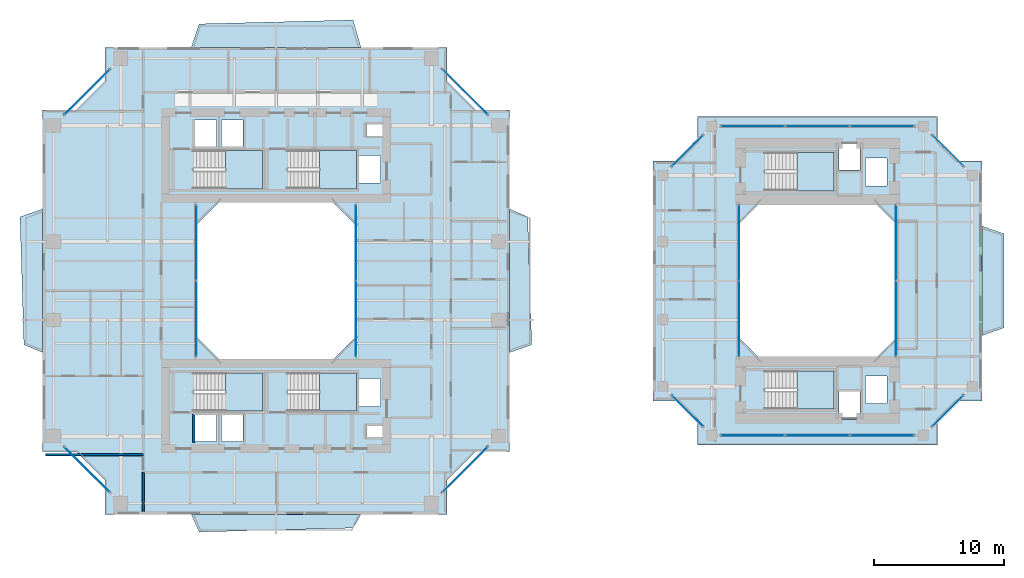
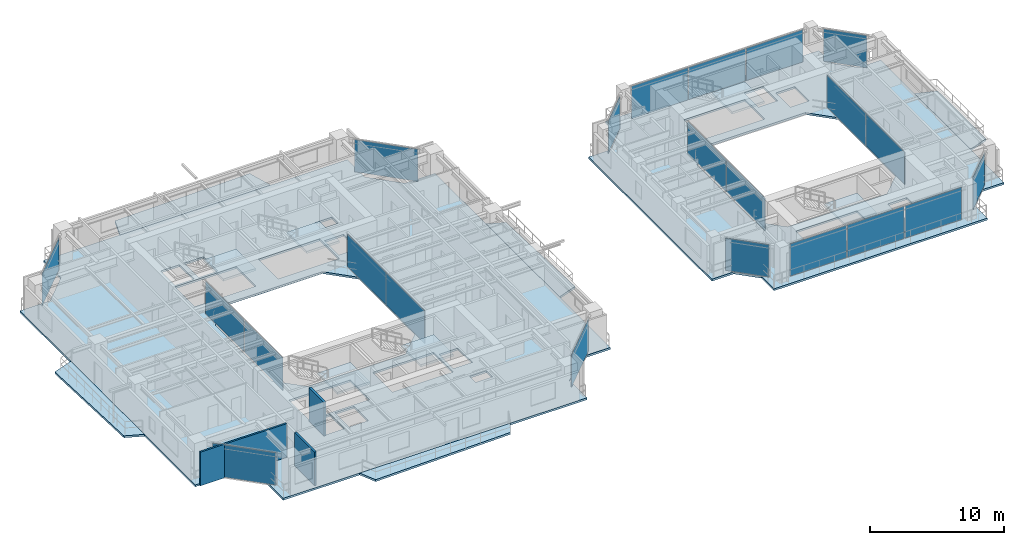
# One storey, part 12 of 23: 22 plates, 13 slabs, 3 walls, 20 elements without a shape of their own.
"""IFC4 building model written with IfcOpenShell, lengths in metres."""

from ifc_helpers import new_model, si_unit, direction, frame, frame_2d, origin, origin_2d, place, context, subcontext, project, spatial, polyline, rectangle, outline, extrude, source, transform, mapped, material, layer, layer_set, type_object, element, aggregate, save


model = new_model("IFC4")

# Units and contexts
model_context = context("Model", 3, precision=1e-05, world=origin(), true_north=direction((0.0, 1.0)))
body_context = subcontext(model_context, "Body", "Model", "MODEL_VIEW")
ifc_project = project(units=[si_unit("LENGTHUNIT", "METRE"), si_unit("AREAUNIT", "SQUARE_METRE"), si_unit("VOLUMEUNIT", "CUBIC_METRE"), si_unit("PLANEANGLEUNIT", "RADIAN"), si_unit("MASSUNIT", "GRAM", prefix="KILO"), si_unit("THERMODYNAMICTEMPERATUREUNIT", "KELVIN"), si_unit("POWERUNIT", "WATT")], contexts=[model_context])

# Site, building, storey
site_placement = place(None, origin())
site = spatial("IfcSite", under=ifc_project, at=site_placement, CompositionType="ELEMENT")
building_placement = place(site_placement, origin())
building = spatial("IfcBuilding", under=site, at=building_placement, Name="Qiaomeng Ring Towers", CompositionType="ELEMENT")
storey_placement = place(building_placement, frame((0.0, 0.0, 100.25)))
storey = spatial("IfcBuildingStorey", under=building, at=storey_placement, Name="L28", CompositionType="ELEMENT", Elevation=100.25)

# Slabs
ifc_material_1 = material(Name="Concrete C40", Category="concrete")
ifc_layer_1 = layer(ifc_material_1, 0.179931640625, Name="Concrete C40")
ifc_layer_set_1 = layer_set([ifc_layer_1], Name="Concrete C40")
slab_type_1 = type_object("IfcSlabType", Name="STR-SL-180", PredefinedType="FLOOR", material=ifc_layer_set_1)
slab_1_placement = place(storey_placement, frame((0.0, 0.0, -0.179931640625)))
element("IfcSlab", 1, at=slab_1_placement, inside=storey, type_object=slab_type_1, Name="L28 Tower 1 Annular Floor Slab", PredefinedType="FLOOR", context=body_context, shape_type="SweptSolid", body=[
    extrude(outline(polyline([(5.89990234375, 5.10009765625), (32.10009765625, 5.10009765625), (32.10009765625, 7.699951171875), (34.300048828125, 9.89990234375), (36.89990234375, 9.89990234375), (36.89990234375, 36.10009765625), (34.300048828125, 36.10009765625), (32.10009765625, 38.300048828125), (32.10009765625, 40.89990234375), (5.89990234375, 40.89990234375), (5.89990234375, 38.300048828125), (3.699951171875, 36.10009765625), (1.10009765625, 36.10009765625), (1.10009765625, 9.89990234375), (3.699951171875, 9.89990234375), (5.89990234375, 7.699951171875), (5.89990234375, 5.10009765625)]), holes=[polyline([(12.780029296875, 10.679931640625), (12.780029296875, 12.820068359375), (14.419921875, 12.820068359375), (14.419921875, 10.679931640625), (12.780029296875, 10.679931640625)]), polyline([(14.830078125, 12.820068359375), (16.469970703125, 12.820068359375), (16.469970703125, 10.679931640625), (14.830078125, 10.679931640625), (14.830078125, 12.820068359375)]), polyline([(12.679931640625, 15.949951171875), (17.949951171875, 15.949951171875), (17.949951171875, 13.010009765625), (12.679931640625, 13.010009765625), (12.679931640625, 15.949951171875)]), polyline([(23.199951171875, 29.199951171875), (25.199951171875, 27.199951171875), (25.199951171875, 18.800048828125), (23.199951171875, 16.800048828125), (14.800048828125, 16.800048828125), (12.800048828125, 18.800048828125), (12.800048828125, 27.199951171875), (14.800048828125, 29.199951171875), (23.199951171875, 29.199951171875)]), polyline([(12.679931640625, 32.989990234375), (17.949951171875, 32.989990234375), (17.949951171875, 30.050048828125), (12.679931640625, 30.050048828125), (12.679931640625, 32.989990234375)]), polyline([(12.780029296875, 35.320068359375), (14.419921875, 35.320068359375), (14.419921875, 33.179931640625), (12.780029296875, 33.179931640625), (12.780029296875, 35.320068359375)]), polyline([(14.830078125, 33.179931640625), (14.830078125, 35.320068359375), (16.469970703125, 35.320068359375), (16.469970703125, 33.179931640625), (14.830078125, 33.179931640625)]), polyline([(25.919921875, 11.89990234375), (27.360107421875, 11.89990234375), (27.360107421875, 11.0), (25.919921875, 11.0), (25.919921875, 11.89990234375)]), polyline([(25.360107421875, 15.52001953125), (27.0, 15.52001953125), (27.0, 13.3798828125), (25.360107421875, 13.3798828125), (25.360107421875, 15.52001953125)]), polyline([(19.8798828125, 15.949951171875), (25.14990234375, 15.949951171875), (25.14990234375, 13.010009765625), (19.8798828125, 13.010009765625), (19.8798828125, 15.949951171875)]), polyline([(19.8798828125, 32.989990234375), (25.14990234375, 32.989990234375), (25.14990234375, 30.050048828125), (19.8798828125, 30.050048828125), (19.8798828125, 32.989990234375)]), polyline([(25.360107421875, 32.6201171875), (27.0, 32.6201171875), (27.0, 30.47998046875), (25.360107421875, 30.47998046875), (25.360107421875, 32.6201171875)]), polyline([(25.919921875, 35.0), (27.360107421875, 35.0), (27.360107421875, 34.10009765625), (25.919921875, 34.10009765625), (25.919921875, 35.0)])]), origin(), (0.0, 0.0, 1.0), 0.179931640625),
])
slab_2_placement = place(storey_placement, frame((0.0, 0.0, -0.179931640625)))
element("IfcSlab", 2, at=slab_2_placement, inside=storey, type_object=slab_type_1, Name="L28 Companion Tower 2 Annular Floor Slab", PredefinedType="FLOOR", context=body_context, shape_type="SweptSolid", body=[
    extrude(outline(polyline([(51.300048828125, 10.39990234375), (69.699951171875, 10.39990234375), (69.699951171875, 12.300048828125), (71.199951171875, 13.800048828125), (73.10009765625, 13.800048828125), (73.10009765625, 32.199951171875), (71.199951171875, 32.199951171875), (69.699951171875, 33.699951171875), (69.699951171875, 35.60009765625), (51.300048828125, 35.60009765625), (51.300048828125, 33.699951171875), (49.800048828125, 32.199951171875), (47.89990234375, 32.199951171875), (47.89990234375, 13.800048828125), (49.800048828125, 13.800048828125), (51.300048828125, 12.300048828125), (51.300048828125, 10.39990234375)]), holes=[polyline([(62.1298828125, 12.3798828125), (62.1298828125, 14.52001953125), (63.77001953125, 14.52001953125), (63.77001953125, 12.3798828125), (62.1298828125, 12.3798828125)]), polyline([(56.47998046875, 13.159912109375), (56.47998046875, 16.10009765625), (61.75, 16.10009765625), (61.75, 13.159912109375), (56.47998046875, 13.159912109375)]), polyline([(64.179931640625, 13.580078125), (64.179931640625, 15.719970703125), (65.820068359375, 15.719970703125), (65.820068359375, 13.580078125), (64.179931640625, 13.580078125)]), polyline([(64.800048828125, 29.10009765625), (66.60009765625, 27.300048828125), (66.60009765625, 18.699951171875), (64.800048828125, 16.89990234375), (56.199951171875, 16.89990234375), (54.39990234375, 18.699951171875), (54.39990234375, 27.300048828125), (56.199951171875, 29.10009765625), (64.800048828125, 29.10009765625)]), polyline([(64.179931640625, 30.280029296875), (64.179931640625, 32.419921875), (65.820068359375, 32.419921875), (65.820068359375, 30.280029296875), (64.179931640625, 30.280029296875)]), polyline([(56.47998046875, 32.840087890625), (61.75, 32.840087890625), (61.75, 29.89990234375), (56.47998046875, 29.89990234375), (56.47998046875, 32.840087890625)]), polyline([(62.1298828125, 33.6201171875), (63.77001953125, 33.6201171875), (63.77001953125, 31.47998046875), (62.1298828125, 31.47998046875), (62.1298828125, 33.6201171875)])]), origin(), (0.0, 0.0, 1.0), 0.179931640625),
])
ifc_layer_2 = layer(ifc_material_1, 0.179931640625, Name="Concrete C40")
ifc_layer_set_2 = layer_set([ifc_layer_2], Name="Concrete C40")
slab_type_2 = type_object("IfcSlabType", Name="STR-SL-BAL", PredefinedType="FLOOR", material=ifc_layer_set_2)
slab_3_placement = place(storey_placement, frame((0.0, 0.0, -0.179931640625)))
element("IfcSlab", 3, at=slab_3_placement, inside=storey, type_object=slab_type_2, Name="L28 Tower 1 S Faceted Balcony Slab", PredefinedType="FLOOR", context=body_context, shape_type="SweptSolid", body=[
    extrude(outline(polyline([(24.89990234375, 4.050048828125), (13.10009765625, 3.75), (12.5, 5.10009765625), (25.5, 5.10009765625), (24.89990234375, 4.050048828125)])), origin(), (0.0, 0.0, 1.0), 0.179931640625),
])
slab_4_placement = place(storey_placement, frame((0.0, 0.0, -0.179931640625)))
element("IfcSlab", 4, at=slab_4_placement, inside=storey, type_object=slab_type_2, Name="L28 Tower 1 E Faceted Balcony Slab", PredefinedType="FLOOR", context=body_context, shape_type="SweptSolid", body=[
    extrude(outline(polyline([(38.2900390625, 27.89990234375), (38.590087890625, 18.10009765625), (36.89990234375, 17.5), (36.89990234375, 28.5), (38.2900390625, 27.89990234375)])), origin(), (0.0, 0.0, 1.0), 0.179931640625),
])
slab_5_placement = place(storey_placement, frame((0.0, 0.0, -0.179931640625)))
element("IfcSlab", 5, at=slab_5_placement, inside=storey, type_object=slab_type_2, Name="L28 Tower 1 N Faceted Balcony Slab", PredefinedType="FLOOR", context=body_context, shape_type="SweptSolid", body=[
    extrude(outline(polyline([(12.5, 40.89990234375), (13.10009765625, 42.68994140625), (24.89990234375, 42.989990234375), (25.5, 40.89990234375), (12.5, 40.89990234375)])), origin(), (0.0, 0.0, 1.0), 0.179931640625),
])
slab_6_placement = place(storey_placement, frame((0.0, 0.0, -0.179931640625)))
element("IfcSlab", 6, at=slab_6_placement, inside=storey, type_object=slab_type_2, Name="L28 Tower 1 W Faceted Balcony Slab", PredefinedType="FLOOR", context=body_context, shape_type="SweptSolid", body=[
    extrude(outline(polyline([(-0.330078125, 18.10009765625), (-0.6298828125, 27.89990234375), (1.10009765625, 28.5), (1.10009765625, 17.5), (-0.330078125, 18.10009765625)])), origin(), (0.0, 0.0, 1.0), 0.179931640625),
])
slab_7_placement = place(storey_placement, frame((0.0, 0.0, -0.179931640625)))
element("IfcSlab", 7, at=slab_7_placement, inside=storey, type_object=slab_type_2, Name="L28 Companion East Faceted Balcony Slab", PredefinedType="FLOOR", context=body_context, shape_type="SweptSolid", body=[
    extrude(outline(polyline([(74.7900390625, 26.60009765625), (74.7900390625, 19.39990234375), (73.10009765625, 18.800048828125), (73.10009765625, 27.199951171875), (74.7900390625, 26.60009765625)])), origin(), (0.0, 0.0, 1.0), 0.179931640625),
])

# Stair, slab
ifc_material_2 = material(Name="Precast concrete C40", Category="concrete")
stair_type = type_object("IfcStairType", Name="ARC-ST-325", PredefinedType="HALF_TURN_STAIR", material=ifc_material_2)
stair_1_placement = place(storey_placement, origin())
stair_1 = element("IfcStair", 8, at=stair_1_placement, inside=storey, type_object=stair_type, Name="L28 Tower 1 North Stair 1", PredefinedType="HALF_TURN_STAIR")
ifc_layer_3 = layer(ifc_material_1, 0.199951171875, Name="Concrete C40")
ifc_layer_set_3 = layer_set([ifc_layer_3], Name="Concrete C40")
slab_type_3 = type_object("IfcSlabType", Name="STR-SL-LANDING", PredefinedType="LANDING", material=ifc_layer_set_3)
slab_8_placement = place(storey_placement, frame((0.0, 0.0, 1.425048828125)))
slab_8 = element("IfcSlab", 9, at=slab_8_placement, type_object=slab_type_3, Name="ST1 landing 1", PredefinedType="LANDING", context=body_context, shape_type="SweptSolid", body=[
    extrude(outline(polyline([(15.139892578125, 30.050048828125), (17.949951171875, 30.050048828125), (17.949951171875, 32.989990234375), (15.139892578125, 32.989990234375), (15.139892578125, 30.050048828125)])), origin(), (0.0, 0.0, 1.0), 0.199951171875),
])
aggregate(stair_1, [slab_8])

stair_2_placement = place(storey_placement, origin())
stair_2 = element("IfcStair", 10, at=stair_2_placement, inside=storey, type_object=stair_type, Name="L28 Tower 1 North Stair 2", PredefinedType="HALF_TURN_STAIR")
slab_9_placement = place(storey_placement, frame((0.0, 0.0, 1.425048828125)))
slab_9 = element("IfcSlab", 11, at=slab_9_placement, type_object=slab_type_3, Name="ST2 landing 1", PredefinedType="LANDING", context=body_context, shape_type="SweptSolid", body=[
    extrude(outline(polyline([(22.340087890625, 30.050048828125), (25.14990234375, 30.050048828125), (25.14990234375, 32.989990234375), (22.340087890625, 32.989990234375), (22.340087890625, 30.050048828125)])), origin(), (0.0, 0.0, 1.0), 0.199951171875),
])
aggregate(stair_2, [slab_9])

stair_3_placement = place(storey_placement, origin())
stair_3 = element("IfcStair", 12, at=stair_3_placement, inside=storey, type_object=stair_type, Name="L28 Tower 1 South Stair 3", PredefinedType="HALF_TURN_STAIR")
slab_10_placement = place(storey_placement, frame((0.0, 0.0, 1.425048828125)))
slab_10 = element("IfcSlab", 13, at=slab_10_placement, type_object=slab_type_3, Name="ST3 landing 1", PredefinedType="LANDING", context=body_context, shape_type="SweptSolid", body=[
    extrude(outline(polyline([(15.139892578125, 13.010009765625), (17.949951171875, 13.010009765625), (17.949951171875, 15.949951171875), (15.139892578125, 15.949951171875), (15.139892578125, 13.010009765625)])), origin(), (0.0, 0.0, 1.0), 0.199951171875),
])
aggregate(stair_3, [slab_10])

stair_4_placement = place(storey_placement, origin())
stair_4 = element("IfcStair", 14, at=stair_4_placement, inside=storey, type_object=stair_type, Name="L28 Tower 1 South Stair 4", PredefinedType="HALF_TURN_STAIR")
slab_11_placement = place(storey_placement, frame((0.0, 0.0, 1.425048828125)))
slab_11 = element("IfcSlab", 15, at=slab_11_placement, type_object=slab_type_3, Name="ST4 landing 1", PredefinedType="LANDING", context=body_context, shape_type="SweptSolid", body=[
    extrude(outline(polyline([(22.340087890625, 13.010009765625), (25.14990234375, 13.010009765625), (25.14990234375, 15.949951171875), (22.340087890625, 15.949951171875), (22.340087890625, 13.010009765625)])), origin(), (0.0, 0.0, 1.0), 0.199951171875),
])
aggregate(stair_4, [slab_11])

stair_5_placement = place(storey_placement, origin())
stair_5 = element("IfcStair", 16, at=stair_5_placement, inside=storey, type_object=stair_type, Name="L28 Companion North Stair 5", PredefinedType="HALF_TURN_STAIR")
slab_12_placement = place(storey_placement, frame((0.0, 0.0, 1.425048828125)))
slab_12 = element("IfcSlab", 17, at=slab_12_placement, type_object=slab_type_3, Name="ST5 landing 1", PredefinedType="LANDING", context=body_context, shape_type="SweptSolid", body=[
    extrude(outline(polyline([(58.93994140625, 29.89990234375), (61.75, 29.89990234375), (61.75, 32.840087890625), (58.93994140625, 32.840087890625), (58.93994140625, 29.89990234375)])), origin(), (0.0, 0.0, 1.0), 0.199951171875),
])
aggregate(stair_5, [slab_12])

stair_6_placement = place(storey_placement, origin())
stair_6 = element("IfcStair", 18, at=stair_6_placement, inside=storey, type_object=stair_type, Name="L28 Companion South Stair 6", PredefinedType="HALF_TURN_STAIR")
slab_13_placement = place(storey_placement, frame((0.0, 0.0, 1.425048828125)))
slab_13 = element("IfcSlab", 19, at=slab_13_placement, type_object=slab_type_3, Name="ST6 landing 1", PredefinedType="LANDING", context=body_context, shape_type="SweptSolid", body=[
    extrude(outline(polyline([(58.93994140625, 13.159912109375), (61.75, 13.159912109375), (61.75, 16.10009765625), (58.93994140625, 16.10009765625), (58.93994140625, 13.159912109375)])), origin(), (0.0, 0.0, 1.0), 0.199951171875),
])
aggregate(stair_6, [slab_13])

# Curtain wall, plates
ifc_material_3 = material(Name="Fluorocarbon dark-grey aluminium", Category="aluminium")
ifc_layer_4 = layer(ifc_material_3, 0.139892578125, Name="Fluorocarbon dark-grey aluminium")
ifc_layer_set_4 = layer_set([ifc_layer_4], Name="Fluorocarbon dark-grey aluminium")
curtain_wall_type_1 = type_object("IfcCurtainWallType", Name="ARC-CW-4", PredefinedType="NOTDEFINED", material=ifc_layer_set_4)
curtain_wall_1_placement = place(storey_placement, origin())
curtain_wall_1 = element("IfcCurtainWall", 20, at=curtain_wall_1_placement, inside=storey, type_object=curtain_wall_type_1, Name="L28 Curtain Wall CW4", PredefinedType="NOTDEFINED")
ifc_material_4 = material(Name="Low-E dark-grey laminated double glazing", Category="glass")
ifc_layer_5 = layer(ifc_material_4, 0.028076171875, Name="Low-E dark-grey laminated double glazing")
ifc_layer_set_5 = layer_set([ifc_layer_5], Name="Low-E dark-grey laminated double glazing")
plate_type = type_object("IfcPlateType", Name="ARC-CWP-DARK", PredefinedType="CURTAIN_PANEL", material=ifc_layer_set_5)
shared_shape_1 = source(origin(), body_context, "Body", "SweptSolid", [
    extrude(rectangle(XDim=5.75244140625, YDim=0.028076171875, at=origin_2d()), origin(), (0.0, 0.0, 1.0), 2.93994140625),
])
plate_1_placement = place(storey_placement, frame((12.8798828125, 20.09130859375, 0.06494140625), z_axis=(0.0, 0.0, 1.0), x_axis=(0.0, 1.0, 0.0)))
plate_1 = element("IfcPlate", 21, at=plate_1_placement, type_object=plate_type, Name="CW4 panel 1.1", PredefinedType="CURTAIN_PANEL", context=body_context, shape_type="MappedRepresentation", body=[
    mapped(shared_shape_1, transform((0.0, 0.0, 0.0), x_axis=(1.0, 0.0, 0.0), y_axis=(0.0, 1.0, 0.0), z_axis=(0.0, 0.0, 1.0), scale=1.0)),
])
plate_2_placement = place(storey_placement, frame((12.8798828125, 25.90869140625, 0.06494140625), z_axis=(0.0, 0.0, 1.0), x_axis=(0.0, 1.0, 0.0)))
plate_2 = element("IfcPlate", 22, at=plate_2_placement, type_object=plate_type, Name="CW4 panel 2.1", PredefinedType="CURTAIN_PANEL", context=body_context, shape_type="MappedRepresentation", body=[
    mapped(shared_shape_1, transform((0.0, 0.0, 0.0), x_axis=(1.0, 0.0, 0.0), y_axis=(0.0, 1.0, 0.0), z_axis=(0.0, 0.0, 1.0), scale=1.0)),
])
aggregate(curtain_wall_1, [plate_1, plate_2])

curtain_wall_2_placement = place(storey_placement, origin())
curtain_wall_2 = element("IfcCurtainWall", 23, at=curtain_wall_2_placement, inside=storey, type_object=curtain_wall_type_1, Name="L28 Curtain Wall CW4", PredefinedType="NOTDEFINED")
plate_3_placement = place(storey_placement, frame((25.1201171875, 20.09130859375, 0.06494140625), z_axis=(0.0, 0.0, 1.0), x_axis=(0.0, 1.0, 0.0)))
plate_3 = element("IfcPlate", 24, at=plate_3_placement, type_object=plate_type, Name="CW4 panel 1.1", PredefinedType="CURTAIN_PANEL", context=body_context, shape_type="MappedRepresentation", body=[
    mapped(shared_shape_1, transform((0.0, 0.0, 0.0), x_axis=(1.0, 0.0, 0.0), y_axis=(0.0, 1.0, 0.0), z_axis=(0.0, 0.0, 1.0), scale=1.0)),
])
plate_4_placement = place(storey_placement, frame((25.1201171875, 25.90869140625, 0.06494140625), z_axis=(0.0, 0.0, 1.0), x_axis=(0.0, 1.0, 0.0)))
plate_4 = element("IfcPlate", 25, at=plate_4_placement, type_object=plate_type, Name="CW4 panel 2.1", PredefinedType="CURTAIN_PANEL", context=body_context, shape_type="MappedRepresentation", body=[
    mapped(shared_shape_1, transform((0.0, 0.0, 0.0), x_axis=(1.0, 0.0, 0.0), y_axis=(0.0, 1.0, 0.0), z_axis=(0.0, 0.0, 1.0), scale=1.0)),
])
aggregate(curtain_wall_2, [plate_3, plate_4])

curtain_wall_3_placement = place(storey_placement, origin())
curtain_wall_3 = element("IfcCurtainWall", 26, at=curtain_wall_3_placement, inside=storey, type_object=curtain_wall_type_1, Name="L28 Curtain Wall CW4", PredefinedType="NOTDEFINED")
plate_5_placement = place(storey_placement, frame((54.47998046875, 20.09130859375, 0.06494140625), z_axis=(0.0, 0.0, 1.0), x_axis=(0.0, 1.0, 0.0)))
plate_5 = element("IfcPlate", 27, at=plate_5_placement, type_object=plate_type, Name="CW4 panel 1.1", PredefinedType="CURTAIN_PANEL", context=body_context, shape_type="MappedRepresentation", body=[
    mapped(shared_shape_1, transform((0.0, 0.0, 0.0), x_axis=(1.0, 0.0, 0.0), y_axis=(0.0, 1.0, 0.0), z_axis=(0.0, 0.0, 1.0), scale=1.0)),
])
plate_6_placement = place(storey_placement, frame((54.47998046875, 25.90869140625, 0.06494140625), z_axis=(0.0, 0.0, 1.0), x_axis=(0.0, 1.0, 0.0)))
plate_6 = element("IfcPlate", 28, at=plate_6_placement, type_object=plate_type, Name="CW4 panel 2.1", PredefinedType="CURTAIN_PANEL", context=body_context, shape_type="MappedRepresentation", body=[
    mapped(shared_shape_1, transform((0.0, 0.0, 0.0), x_axis=(1.0, 0.0, 0.0), y_axis=(0.0, 1.0, 0.0), z_axis=(0.0, 0.0, 1.0), scale=1.0)),
])
aggregate(curtain_wall_3, [plate_5, plate_6])

curtain_wall_4_placement = place(storey_placement, origin())
curtain_wall_4 = element("IfcCurtainWall", 29, at=curtain_wall_4_placement, inside=storey, type_object=curtain_wall_type_1, Name="L28 Curtain Wall CW4", PredefinedType="NOTDEFINED")
plate_7_placement = place(storey_placement, frame((66.52001953125, 20.09130859375, 0.06494140625), z_axis=(0.0, 0.0, 1.0), x_axis=(0.0, 1.0, 0.0)))
plate_7 = element("IfcPlate", 30, at=plate_7_placement, type_object=plate_type, Name="CW4 panel 1.1", PredefinedType="CURTAIN_PANEL", context=body_context, shape_type="MappedRepresentation", body=[
    mapped(shared_shape_1, transform((0.0, 0.0, 0.0), x_axis=(1.0, 0.0, 0.0), y_axis=(0.0, 1.0, 0.0), z_axis=(0.0, 0.0, 1.0), scale=1.0)),
])
plate_8_placement = place(storey_placement, frame((66.52001953125, 25.90869140625, 0.06494140625), z_axis=(0.0, 0.0, 1.0), x_axis=(0.0, 1.0, 0.0)))
plate_8 = element("IfcPlate", 31, at=plate_8_placement, type_object=plate_type, Name="CW4 panel 2.1", PredefinedType="CURTAIN_PANEL", context=body_context, shape_type="MappedRepresentation", body=[
    mapped(shared_shape_1, transform((0.0, 0.0, 0.0), x_axis=(1.0, 0.0, 0.0), y_axis=(0.0, 1.0, 0.0), z_axis=(0.0, 0.0, 1.0), scale=1.0)),
])
aggregate(curtain_wall_4, [plate_7, plate_8])

ifc_layer_6 = layer(ifc_material_3, 0.14990234375, Name="Fluorocarbon dark-grey aluminium")
ifc_layer_set_6 = layer_set([ifc_layer_6], Name="Fluorocarbon dark-grey aluminium")
curtain_wall_type_2 = type_object("IfcCurtainWallType", Name="ARC-CW-5", PredefinedType="NOTDEFINED", material=ifc_layer_set_6)
curtain_wall_5_placement = place(storey_placement, origin())
curtain_wall_5 = element("IfcCurtainWall", 32, at=curtain_wall_5_placement, inside=storey, type_object=curtain_wall_type_2, Name="L28 Curtain Wall CW5", PredefinedType="NOTDEFINED")
shared_shape_2 = source(origin(), body_context, "Body", "SweptSolid", [
    extrude(rectangle(XDim=4.868408203125, YDim=0.028076171875, at=origin_2d()), origin(), (0.0, 0.0, 1.0), 2.93994140625),
])
plate_9_placement = place(storey_placement, frame((55.544189453125, 34.85009765625, 0.06494140625), z_axis=(0.0, 0.0, 1.0), x_axis=(1.0, 0.0, 0.0)))
plate_9 = element("IfcPlate", 33, at=plate_9_placement, type_object=plate_type, Name="CW5 panel 1.1", PredefinedType="CURTAIN_PANEL", context=body_context, shape_type="MappedRepresentation", body=[
    mapped(shared_shape_2, transform((0.0, 0.0, 0.0), x_axis=(1.0, 0.0, 0.0), y_axis=(0.0, 1.0, 0.0), z_axis=(0.0, 0.0, 1.0), scale=1.0)),
])
plate_10_placement = place(storey_placement, frame((65.455810546875, 34.85009765625, 0.06494140625), z_axis=(0.0, 0.0, 1.0), x_axis=(1.0, 0.0, 0.0)))
plate_10 = element("IfcPlate", 34, at=plate_10_placement, type_object=plate_type, Name="CW5 panel 3.1", PredefinedType="CURTAIN_PANEL", context=body_context, shape_type="MappedRepresentation", body=[
    mapped(shared_shape_2, transform((0.0, 0.0, 0.0), x_axis=(1.0, 0.0, 0.0), y_axis=(0.0, 1.0, 0.0), z_axis=(0.0, 0.0, 1.0), scale=1.0)),
])

curtain_wall_6_placement = place(storey_placement, origin())
curtain_wall_6 = element("IfcCurtainWall", 35, at=curtain_wall_6_placement, inside=storey, type_object=curtain_wall_type_2, Name="L28 Curtain Wall CW5", PredefinedType="NOTDEFINED")
plate_11_placement = place(storey_placement, frame((55.544189453125, 11.14990234375, 0.06494140625), z_axis=(0.0, 0.0, 1.0), x_axis=(1.0, 0.0, 0.0)))
plate_11 = element("IfcPlate", 36, at=plate_11_placement, type_object=plate_type, Name="CW5 panel 1.1", PredefinedType="CURTAIN_PANEL", context=body_context, shape_type="MappedRepresentation", body=[
    mapped(shared_shape_2, transform((0.0, 0.0, 0.0), x_axis=(1.0, 0.0, 0.0), y_axis=(0.0, 1.0, 0.0), z_axis=(0.0, 0.0, 1.0), scale=1.0)),
])
plate_12_placement = place(storey_placement, frame((65.455810546875, 11.14990234375, 0.06494140625), z_axis=(0.0, 0.0, 1.0), x_axis=(1.0, 0.0, 0.0)))
plate_12 = element("IfcPlate", 37, at=plate_12_placement, type_object=plate_type, Name="CW5 panel 3.1", PredefinedType="CURTAIN_PANEL", context=body_context, shape_type="MappedRepresentation", body=[
    mapped(shared_shape_2, transform((0.0, 0.0, 0.0), x_axis=(1.0, 0.0, 0.0), y_axis=(0.0, 1.0, 0.0), z_axis=(0.0, 0.0, 1.0), scale=1.0)),
])

# Plate
shared_shape_3 = source(origin(), body_context, "Body", "SweptSolid", [
    extrude(rectangle(XDim=4.9033203125, YDim=0.028076171875, at=origin_2d()), origin(), (0.0, 0.0, 1.0), 2.93994140625),
])
plate_13_placement = place(storey_placement, frame((60.5, 34.85009765625, 0.06494140625), z_axis=(0.0, 0.0, 1.0), x_axis=(1.0, 0.0, 0.0)))
plate_13 = element("IfcPlate", 38, at=plate_13_placement, type_object=plate_type, Name="CW5 panel 2.1", PredefinedType="CURTAIN_PANEL", context=body_context, shape_type="MappedRepresentation", body=[
    mapped(shared_shape_3, transform((0.0, 0.0, 0.0), x_axis=(1.0, 0.0, 0.0), y_axis=(0.0, 1.0, 0.0), z_axis=(0.0, 0.0, 1.0), scale=1.0)),
])

aggregate(curtain_wall_5, [plate_9, plate_13, plate_10])

plate_14_placement = place(storey_placement, frame((60.5, 11.14990234375, 0.06494140625), z_axis=(0.0, 0.0, 1.0), x_axis=(1.0, 0.0, 0.0)))
plate_14 = element("IfcPlate", 39, at=plate_14_placement, type_object=plate_type, Name="CW5 panel 2.1", PredefinedType="CURTAIN_PANEL", context=body_context, shape_type="MappedRepresentation", body=[
    mapped(shared_shape_3, transform((0.0, 0.0, 0.0), x_axis=(1.0, 0.0, 0.0), y_axis=(0.0, 1.0, 0.0), z_axis=(0.0, 0.0, 1.0), scale=1.0)),
])

aggregate(curtain_wall_6, [plate_11, plate_14, plate_12])

# Curtain wall, plate
curtain_wall_7_placement = place(storey_placement, origin())
curtain_wall_7 = element("IfcCurtainWall", 40, at=curtain_wall_7_placement, inside=storey, type_object=curtain_wall_type_2, Name="L28 Curtain Wall CW5", PredefinedType="NOTDEFINED")
shared_shape_4 = source(origin(), body_context, "Body", "SweptSolid", [
    extrude(rectangle(XDim=3.35302734375, YDim=0.028076171875, at=origin_2d()), origin(), (0.0, 0.0, 1.0), 2.93994140625),
])
plate_15_placement = place(storey_placement, frame((70.47509765625, 13.02490234375, 0.06494140625), z_axis=(0.0, 0.0, 1.0), x_axis=(0.707106781187, 0.707106781187, 0.0)))
plate_15 = element("IfcPlate", 41, at=plate_15_placement, type_object=plate_type, Name="CW5 panel 1.1", PredefinedType="CURTAIN_PANEL", context=body_context, shape_type="MappedRepresentation", body=[
    mapped(shared_shape_4, transform((0.0, 0.0, 0.0), x_axis=(1.0, 0.0, 0.0), y_axis=(0.0, 1.0, 0.0), z_axis=(0.0, 0.0, 1.0), scale=1.0)),
])
aggregate(curtain_wall_7, [plate_15])

curtain_wall_8_placement = place(storey_placement, origin())
curtain_wall_8 = element("IfcCurtainWall", 42, at=curtain_wall_8_placement, inside=storey, type_object=curtain_wall_type_2, Name="L28 Curtain Wall CW5", PredefinedType="NOTDEFINED")
plate_16_placement = place(storey_placement, frame((70.47509765625, 32.97509765625, 0.06494140625), z_axis=(0.0, 0.0, 1.0), x_axis=(-0.707106781187, 0.707106781187, 0.0)))
plate_16 = element("IfcPlate", 43, at=plate_16_placement, type_object=plate_type, Name="CW5 panel 1.1", PredefinedType="CURTAIN_PANEL", context=body_context, shape_type="MappedRepresentation", body=[
    mapped(shared_shape_4, transform((0.0, 0.0, 0.0), x_axis=(1.0, 0.0, 0.0), y_axis=(0.0, 1.0, 0.0), z_axis=(0.0, 0.0, 1.0), scale=1.0)),
])
aggregate(curtain_wall_8, [plate_16])

curtain_wall_9_placement = place(storey_placement, origin())
curtain_wall_9 = element("IfcCurtainWall", 44, at=curtain_wall_9_placement, inside=storey, type_object=curtain_wall_type_2, Name="L28 Curtain Wall CW5", PredefinedType="NOTDEFINED")
plate_17_placement = place(storey_placement, frame((50.52490234375, 32.97509765625, 0.06494140625), z_axis=(0.0, 0.0, 1.0), x_axis=(-0.707106781187, -0.707106781187, 0.0)))
plate_17 = element("IfcPlate", 45, at=plate_17_placement, type_object=plate_type, Name="CW5 panel 1.1", PredefinedType="CURTAIN_PANEL", context=body_context, shape_type="MappedRepresentation", body=[
    mapped(shared_shape_4, transform((0.0, 0.0, 0.0), x_axis=(1.0, 0.0, 0.0), y_axis=(0.0, 1.0, 0.0), z_axis=(0.0, 0.0, 1.0), scale=1.0)),
])
aggregate(curtain_wall_9, [plate_17])

curtain_wall_10_placement = place(storey_placement, origin())
curtain_wall_10 = element("IfcCurtainWall", 46, at=curtain_wall_10_placement, inside=storey, type_object=curtain_wall_type_2, Name="L28 Curtain Wall CW5", PredefinedType="NOTDEFINED")
plate_18_placement = place(storey_placement, frame((50.52490234375, 13.02490234375, 0.06494140625), z_axis=(0.0, 0.0, 1.0), x_axis=(0.707106781187, -0.707106781187, 0.0)))
plate_18 = element("IfcPlate", 47, at=plate_18_placement, type_object=plate_type, Name="CW5 panel 1.1", PredefinedType="CURTAIN_PANEL", context=body_context, shape_type="MappedRepresentation", body=[
    mapped(shared_shape_4, transform((0.0, 0.0, 0.0), x_axis=(1.0, 0.0, 0.0), y_axis=(0.0, 1.0, 0.0), z_axis=(0.0, 0.0, 1.0), scale=1.0)),
])
aggregate(curtain_wall_10, [plate_18])

ifc_layer_7 = layer(ifc_material_3, 0.14990234375, Name="Fluorocarbon dark-grey aluminium")
ifc_layer_set_7 = layer_set([ifc_layer_7], Name="Fluorocarbon dark-grey aluminium")
curtain_wall_type_3 = type_object("IfcCurtainWallType", Name="ARC-CW-3", PredefinedType="NOTDEFINED", material=ifc_layer_set_7)
curtain_wall_11_placement = place(storey_placement, origin())
curtain_wall_11 = element("IfcCurtainWall", 48, at=curtain_wall_11_placement, inside=storey, type_object=curtain_wall_type_3, Name="L28 Curtain Wall CW3", PredefinedType="NOTDEFINED")
shared_shape_5 = source(origin(), body_context, "Body", "SweptSolid", [
    extrude(rectangle(XDim=4.90869140625, YDim=0.028076171875, at=origin_2d()), origin(), (0.0, 0.0, 1.0), 2.93994140625),
])
plate_19_placement = place(storey_placement, frame((33.47509765625, 8.52490234375, 0.06494140625), z_axis=(0.0, 0.0, 1.0), x_axis=(0.707106781187, 0.707106781187, 0.0)))
plate_19 = element("IfcPlate", 49, at=plate_19_placement, type_object=plate_type, Name="CW3 panel 1.1", PredefinedType="CURTAIN_PANEL", context=body_context, shape_type="MappedRepresentation", body=[
    mapped(shared_shape_5, transform((0.0, 0.0, 0.0), x_axis=(1.0, 0.0, 0.0), y_axis=(0.0, 1.0, 0.0), z_axis=(0.0, 0.0, 1.0), scale=1.0)),
])
aggregate(curtain_wall_11, [plate_19])

curtain_wall_12_placement = place(storey_placement, origin())
curtain_wall_12 = element("IfcCurtainWall", 50, at=curtain_wall_12_placement, inside=storey, type_object=curtain_wall_type_3, Name="L28 Curtain Wall CW3", PredefinedType="NOTDEFINED")
plate_20_placement = place(storey_placement, frame((33.47509765625, 37.47509765625, 0.06494140625), z_axis=(0.0, 0.0, 1.0), x_axis=(-0.707106781187, 0.707106781187, 0.0)))
plate_20 = element("IfcPlate", 51, at=plate_20_placement, type_object=plate_type, Name="CW3 panel 1.1", PredefinedType="CURTAIN_PANEL", context=body_context, shape_type="MappedRepresentation", body=[
    mapped(shared_shape_5, transform((0.0, 0.0, 0.0), x_axis=(1.0, 0.0, 0.0), y_axis=(0.0, 1.0, 0.0), z_axis=(0.0, 0.0, 1.0), scale=1.0)),
])
aggregate(curtain_wall_12, [plate_20])

curtain_wall_13_placement = place(storey_placement, origin())
curtain_wall_13 = element("IfcCurtainWall", 52, at=curtain_wall_13_placement, inside=storey, type_object=curtain_wall_type_3, Name="L28 Curtain Wall CW3", PredefinedType="NOTDEFINED")
plate_21_placement = place(storey_placement, frame((4.52490234375, 37.47509765625, 0.06494140625), z_axis=(0.0, 0.0, 1.0), x_axis=(-0.707106781187, -0.707106781187, 0.0)))
plate_21 = element("IfcPlate", 53, at=plate_21_placement, type_object=plate_type, Name="CW3 panel 1.1", PredefinedType="CURTAIN_PANEL", context=body_context, shape_type="MappedRepresentation", body=[
    mapped(shared_shape_5, transform((0.0, 0.0, 0.0), x_axis=(1.0, 0.0, 0.0), y_axis=(0.0, 1.0, 0.0), z_axis=(0.0, 0.0, 1.0), scale=1.0)),
])
aggregate(curtain_wall_13, [plate_21])

curtain_wall_14_placement = place(storey_placement, origin())
curtain_wall_14 = element("IfcCurtainWall", 54, at=curtain_wall_14_placement, inside=storey, type_object=curtain_wall_type_3, Name="L28 Curtain Wall CW3", PredefinedType="NOTDEFINED")
plate_22_placement = place(storey_placement, frame((4.52490234375, 8.52490234375, 0.06494140625), z_axis=(0.0, 0.0, 1.0), x_axis=(0.707106781187, -0.707106781187, 0.0)))
plate_22 = element("IfcPlate", 55, at=plate_22_placement, type_object=plate_type, Name="CW3 panel 1.1", PredefinedType="CURTAIN_PANEL", context=body_context, shape_type="MappedRepresentation", body=[
    mapped(shared_shape_5, transform((0.0, 0.0, 0.0), x_axis=(1.0, 0.0, 0.0), y_axis=(0.0, 1.0, 0.0), z_axis=(0.0, 0.0, 1.0), scale=1.0)),
])
aggregate(curtain_wall_14, [plate_22])

# Walls
ifc_material_5 = material(Name="Autoclaved aerated concrete block", Category="concrete")
ifc_layer_8 = layer(ifc_material_5, 0.199951171875, Name="Autoclaved aerated concrete block")
ifc_layer_set_8 = layer_set([ifc_layer_8], Name="Autoclaved aerated concrete block")
wall_type_1 = type_object("IfcWallType", Name="ARC-WL-PW1", PredefinedType="PARTITIONING", material=ifc_layer_set_8)
wall_1_placement = place(storey_placement, frame((12.679931640625, 10.60009765625, 0.0), z_axis=(0.0, 0.0, 1.0), x_axis=(0.0, 1.0, 0.0)))
element("IfcWall", 56, at=wall_1_placement, inside=storey, type_object=wall_type_1, Name="L28 Interior Wall PW1", PredefinedType="PARTITIONING", context=body_context, shape_type="SweptSolid", body=[
    extrude(rectangle(XDim=2.2099609375, YDim=0.199951171875, at=frame_2d((1.10498046875, 0.0))), origin(), (0.0, 0.0, 1.0), 3.070068359375),
])
ifc_material_6 = material(Name="Gypsum fireboard steel-stud partition", Category="steel")
ifc_layer_9 = layer(ifc_material_6, 0.14990234375, Name="Gypsum fireboard steel-stud partition")
ifc_layer_set_9 = layer_set([ifc_layer_9], Name="Gypsum fireboard steel-stud partition")
wall_type_2 = type_object("IfcWallType", Name="ARC-WL-PW3", PredefinedType="PARTITIONING", material=ifc_layer_set_9)
wall_2_placement = place(storey_placement, frame((8.820068359375, 5.35009765625, 0.0), z_axis=(0.0, 0.0, 1.0), x_axis=(0.0, 1.0, 0.0)))
element("IfcWall", 57, at=wall_2_placement, inside=storey, type_object=wall_type_2, Name="L28 Interior Wall PW3", PredefinedType="PARTITIONING", context=body_context, shape_type="SweptSolid", body=[
    extrude(rectangle(XDim=2.9599609375, YDim=0.14990234375, at=frame_2d((1.47998046875, 0.0))), origin(), (0.0, 0.0, 1.0), 3.070068359375),
])
wall_3_placement = place(storey_placement, frame((1.35009765625, 9.669921875, 0.0), z_axis=(0.0, 0.0, 1.0), x_axis=(1.0, 0.0, 0.0)))
element("IfcWall", 58, at=wall_3_placement, inside=storey, type_object=wall_type_2, Name="L28 Interior Wall PW3", PredefinedType="PARTITIONING", context=body_context, shape_type="SweptSolid", body=[
    extrude(rectangle(XDim=7.469970703125, YDim=0.14990234375, at=frame_2d((3.73486328125, 0.0))), origin(), (0.0, 0.0, 1.0), 3.070068359375),
])

save(model, "model.ifc")
